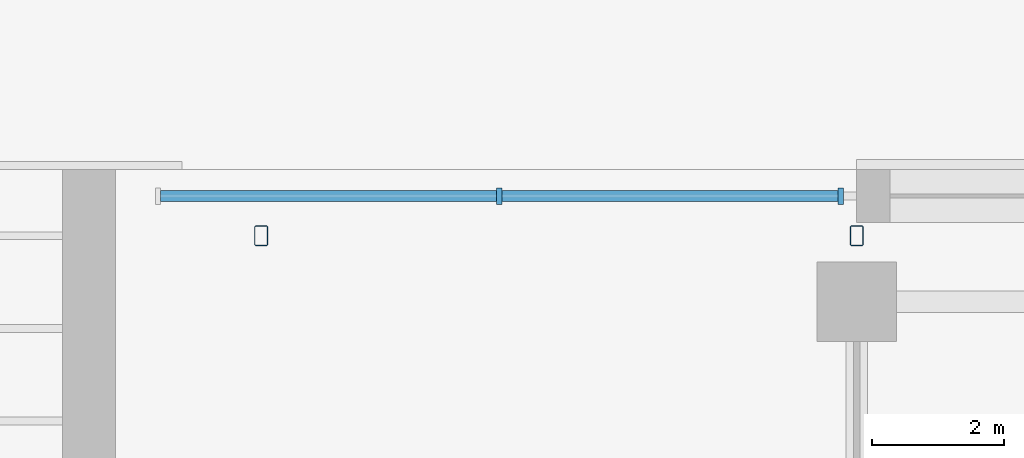
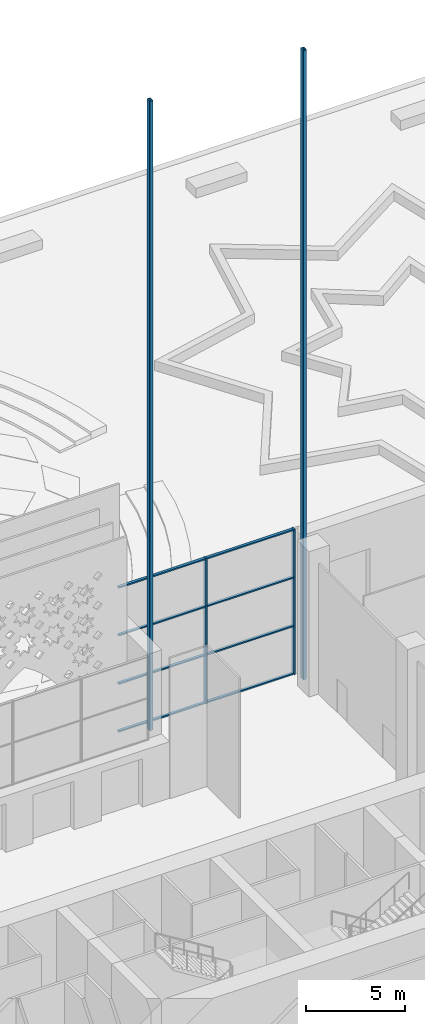
# One storey, part 7 of 23: 12 members, 1 element without a shape of its own.
"""IFC4 building model written with IfcOpenShell, lengths in metres."""

from ifc_helpers import new_model, si_unit, direction, frame, origin, origin_2d, place, context, subcontext, project, spatial, rectangle, hollow_rectangle, extrude, material, material_profile, profile_set, type_object, element, aggregate, save


model = new_model("IFC4")

# Units and contexts
model_context = context("Model", 3, precision=1e-05, world=origin(), true_north=direction((0.0, 1.0)))
body_context = subcontext(model_context, "Body", "Model", "MODEL_VIEW")
ifc_project = project(units=[si_unit("LENGTHUNIT", "METRE"), si_unit("AREAUNIT", "SQUARE_METRE"), si_unit("VOLUMEUNIT", "CUBIC_METRE"), si_unit("PLANEANGLEUNIT", "RADIAN"), si_unit("MASSUNIT", "GRAM", prefix="KILO")], contexts=[model_context])

# Site, building, storey
site_placement = place(None, origin())
site = spatial("IfcSite", under=ifc_project, at=site_placement, CompositionType="ELEMENT")
building_placement = place(site_placement, origin())
building = spatial("IfcBuilding", under=site, at=building_placement, Name="Zellij Exchange Tower", CompositionType="ELEMENT")
storey_placement = place(building_placement, origin())
storey = spatial("IfcBuildingStorey", under=building, at=storey_placement, Name="L00", CompositionType="ELEMENT", Elevation=0.0)

# Curtain wall, members
ifc_material_1 = material(Name="Aluminium frame, clear insulating glass", Category="aluminium")
curtain_wall_type = type_object("IfcCurtainWallType", Name="ENV-CW3 Exchange-hall glazing", PredefinedType="NOTDEFINED", material=ifc_material_1)
curtain_wall_placement = place(storey_placement, origin())
curtain_wall = element("IfcCurtainWall", 1, at=curtain_wall_placement, inside=storey, type_object=curtain_wall_type, Name="cw.L00.14b", PredefinedType="NOTDEFINED")
ifc_material_2 = material(Name="Aluminium", Category="aluminium")
ifc_material_profile_1 = material_profile(ifc_material_2, rectangle(XDim=0.080078125, YDim=0.25, at=origin_2d()), Name="AL 80x250")
ifc_profile_set_1 = profile_set([ifc_material_profile_1], Name="Aluminium")
member_type_1 = type_object("IfcMemberType", Name="ENV-CW3M Mullion 80x250", PredefinedType="MULLION", material=ifc_profile_set_1)
member_1_placement = place(storey_placement, frame((17.760009765625, 19.60009765625, 0.0), z_axis=(0.0, 0.0, 1.0), x_axis=(-1.0, 0.0, 0.0)))
member_1 = element("IfcMember", 2, at=member_1_placement, type_object=member_type_1, Name="CW3 mullion 1", PredefinedType="MULLION", context=body_context, shape_type="SweptSolid", body=[
    extrude(rectangle(XDim=0.080078125, YDim=0.25, at=origin_2d()), origin(), (0.0, 0.0, 1.0), 9.0),
])
member_2_placement = place(storey_placement, frame((12.60009765625, 19.60009765625, 0.0), z_axis=(0.0, 0.0, 1.0), x_axis=(-1.0, 0.0, 0.0)))
member_2 = element("IfcMember", 3, at=member_2_placement, type_object=member_type_1, Name="CW3 mullion 2", PredefinedType="MULLION", context=body_context, shape_type="SweptSolid", body=[
    extrude(rectangle(XDim=0.080078125, YDim=0.25, at=origin_2d()), origin(), (0.0, 0.0, 1.0), 9.0),
])
ifc_material_profile_2 = material_profile(ifc_material_2, rectangle(XDim=0.159912109375, YDim=0.080078125, at=origin_2d()), Name="AL 160x80")
ifc_profile_set_2 = profile_set([ifc_material_profile_2], Name="Aluminium")
member_type_2 = type_object("IfcMemberType", Name="ENV-CW3T Transom 160x80", PredefinedType="USERDEFINED", material=ifc_profile_set_2)
member_3_placement = place(storey_placement, frame((17.719970703125, 19.60009765625, 0.0400390625), z_axis=(-1.0, 0.0, 0.0), x_axis=(0.0, -1.0, 0.0)))
member_3 = element("IfcMember", 4, at=member_3_placement, type_object=member_type_2, Name="CW3 transom 1.1", ObjectType="TRANSOM", PredefinedType="USERDEFINED", context=body_context, shape_type="SweptSolid", body=[
    extrude(rectangle(XDim=0.159912109375, YDim=0.080078125, at=origin_2d()), origin(), (0.0, 0.0, 1.0), 5.080078125),
])
member_4_placement = place(storey_placement, frame((17.719970703125, 19.60009765625, 3.0), z_axis=(-1.0, 0.0, 0.0), x_axis=(0.0, -1.0, 0.0)))
member_4 = element("IfcMember", 5, at=member_4_placement, type_object=member_type_2, Name="CW3 transom 1.2", ObjectType="TRANSOM", PredefinedType="USERDEFINED", context=body_context, shape_type="SweptSolid", body=[
    extrude(rectangle(XDim=0.159912109375, YDim=0.080078125, at=origin_2d()), origin(), (0.0, 0.0, 1.0), 5.080078125),
])
member_5_placement = place(storey_placement, frame((17.719970703125, 19.60009765625, 6.0), z_axis=(-1.0, 0.0, 0.0), x_axis=(0.0, -1.0, 0.0)))
member_5 = element("IfcMember", 6, at=member_5_placement, type_object=member_type_2, Name="CW3 transom 1.3", ObjectType="TRANSOM", PredefinedType="USERDEFINED", context=body_context, shape_type="SweptSolid", body=[
    extrude(rectangle(XDim=0.159912109375, YDim=0.080078125, at=origin_2d()), origin(), (0.0, 0.0, 1.0), 5.080078125),
])
member_6_placement = place(storey_placement, frame((17.719970703125, 19.60009765625, 8.9599609375), z_axis=(-1.0, 0.0, 0.0), x_axis=(0.0, -1.0, 0.0)))
member_6 = element("IfcMember", 7, at=member_6_placement, type_object=member_type_2, Name="CW3 transom 1.4", ObjectType="TRANSOM", PredefinedType="USERDEFINED", context=body_context, shape_type="SweptSolid", body=[
    extrude(rectangle(XDim=0.159912109375, YDim=0.080078125, at=origin_2d()), origin(), (0.0, 0.0, 1.0), 5.080078125),
])
member_7_placement = place(storey_placement, frame((12.56005859375, 19.60009765625, 0.0400390625), z_axis=(-1.0, 0.0, 0.0), x_axis=(0.0, -1.0, 0.0)))
member_7 = element("IfcMember", 8, at=member_7_placement, type_object=member_type_2, Name="CW3 transom 2.1", ObjectType="TRANSOM", PredefinedType="USERDEFINED", context=body_context, shape_type="SweptSolid", body=[
    extrude(rectangle(XDim=0.159912109375, YDim=0.080078125, at=origin_2d()), origin(), (0.0, 0.0, 1.0), 5.080078125),
])
member_8_placement = place(storey_placement, frame((12.56005859375, 19.60009765625, 3.0), z_axis=(-1.0, 0.0, 0.0), x_axis=(0.0, -1.0, 0.0)))
member_8 = element("IfcMember", 9, at=member_8_placement, type_object=member_type_2, Name="CW3 transom 2.2", ObjectType="TRANSOM", PredefinedType="USERDEFINED", context=body_context, shape_type="SweptSolid", body=[
    extrude(rectangle(XDim=0.159912109375, YDim=0.080078125, at=origin_2d()), origin(), (0.0, 0.0, 1.0), 5.080078125),
])
member_9_placement = place(storey_placement, frame((12.56005859375, 19.60009765625, 6.0), z_axis=(-1.0, 0.0, 0.0), x_axis=(0.0, -1.0, 0.0)))
member_9 = element("IfcMember", 10, at=member_9_placement, type_object=member_type_2, Name="CW3 transom 2.3", ObjectType="TRANSOM", PredefinedType="USERDEFINED", context=body_context, shape_type="SweptSolid", body=[
    extrude(rectangle(XDim=0.159912109375, YDim=0.080078125, at=origin_2d()), origin(), (0.0, 0.0, 1.0), 5.080078125),
])
member_10_placement = place(storey_placement, frame((12.56005859375, 19.60009765625, 8.9599609375), z_axis=(-1.0, 0.0, 0.0), x_axis=(0.0, -1.0, 0.0)))
member_10 = element("IfcMember", 11, at=member_10_placement, type_object=member_type_2, Name="CW3 transom 2.4", ObjectType="TRANSOM", PredefinedType="USERDEFINED", context=body_context, shape_type="SweptSolid", body=[
    extrude(rectangle(XDim=0.159912109375, YDim=0.080078125, at=origin_2d()), origin(), (0.0, 0.0, 1.0), 5.080078125),
])
aggregate(curtain_wall, [member_1, member_2, member_3, member_4, member_5, member_6, member_7, member_8, member_9, member_10])

# Members
ifc_material_3 = material(Name="Structural steel ASTM A500 Gr C", Category="steel")
ifc_material_profile_3 = material_profile(ifc_material_3, hollow_rectangle(XDim=0.203125, YDim=0.3046875, WallThickness=0.01171875, InnerFilletRadius=0.01171875, OuterFilletRadius=0.023681640625, at=origin_2d()), Name="STR-WIND POST HSS12x8x1/2")
ifc_profile_set_3 = profile_set([ifc_material_profile_3], Name="Structural steel ASTM A500 Gr C")
member_type_3 = type_object("IfcMemberType", Name="STR-WIND POST HSS12x8x1/2", PredefinedType="POST", material=ifc_profile_set_3)
for number, where, z_axis, x_axis, name in (
    (12, (9.0, 19.0, 0.0), (0.0, 0.0, 1.0), (1.0, 0.0, 0.0), "WP"),
    (13, (18.0, 19.0, 0.0), (0.0, 0.0, 1.0), (1.0, 0.0, 0.0), "WP"),
):
    element("IfcMember", number, at=place(storey_placement, frame(where, z_axis=z_axis, x_axis=x_axis)), inside=storey, type_object=member_type_3, Name=name, PredefinedType="POST", context=body_context, shape_type="SweptSolid", body=[
        extrude(hollow_rectangle(XDim=0.203125, YDim=0.3046875, WallThickness=0.01171875, InnerFilletRadius=0.01171875, OuterFilletRadius=0.023681640625, at=origin_2d()), origin(), (0.0, 0.0, 1.0), 39.0),
    ])

save(model, "model.ifc")
